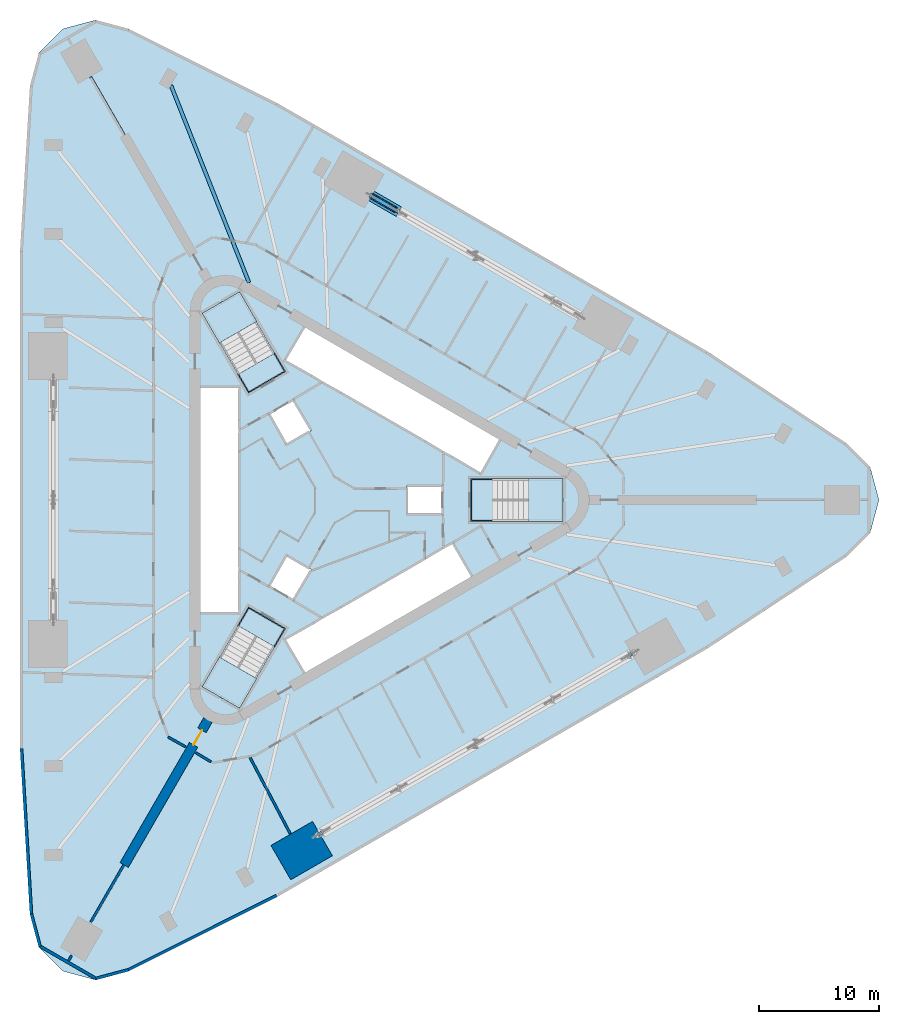
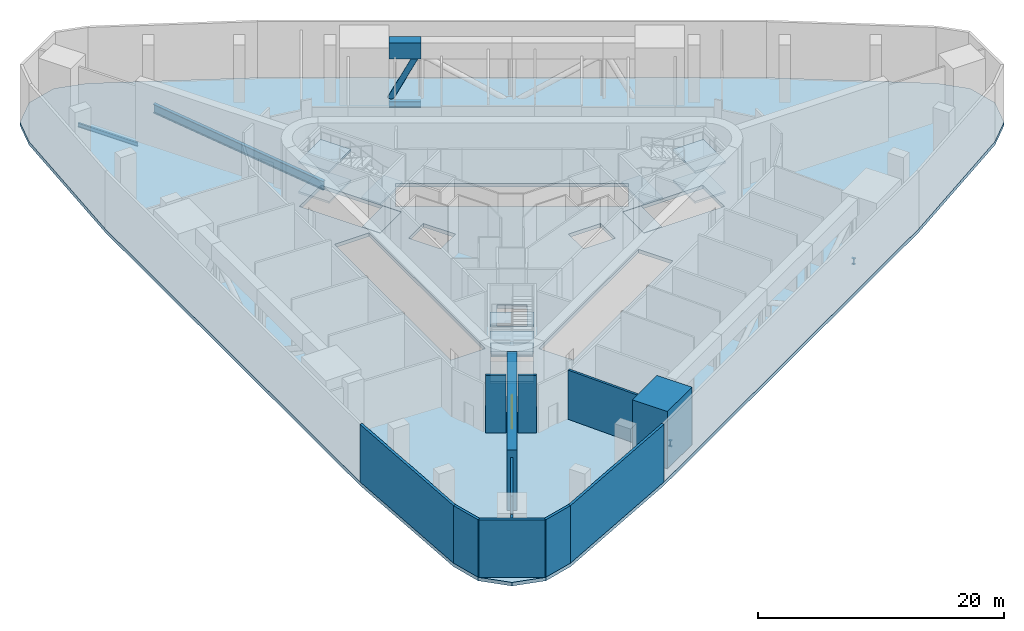
# One storey, part 5 of 14: 13 slabs, 12 walls, 6 beams, 1 door, 1 member, 1 opening, 3 elements without a shape of their own.
"""IFC4 building model written with IfcOpenShell, lengths in metres."""

from ifc_helpers import new_model, si_unit, direction, frame, frame_2d, origin, origin_2d, place, context, subcontext, project, spatial, polyline, rectangle, hollow_circle, i_section, outline, extrude, material, layer, layer_set, material_profile, profile_set, type_object, element, fill, aggregate, save


model = new_model("IFC4")

# Units and contexts
model_context = context("Model", 3, precision=1e-05, world=origin(), true_north=direction((0.0, 1.0)))
body_context = subcontext(model_context, "Body", "Model", "MODEL_VIEW")
ifc_project = project(units=[si_unit("LENGTHUNIT", "METRE"), si_unit("AREAUNIT", "SQUARE_METRE"), si_unit("VOLUMEUNIT", "CUBIC_METRE"), si_unit("PLANEANGLEUNIT", "RADIAN"), si_unit("MASSUNIT", "GRAM", prefix="KILO")], contexts=[model_context])

# Site, building, storey
site_placement = place(None, origin())
site = spatial("IfcSite", under=ifc_project, at=site_placement, CompositionType="ELEMENT")
building_placement = place(site_placement, origin())
building = spatial("IfcBuilding", under=site, at=building_placement, Name="Tanit Gate Tower", CompositionType="ELEMENT")
storey_placement = place(building_placement, frame((0.0, 0.0, 39.5)))
storey = spatial("IfcBuildingStorey", under=building, at=storey_placement, Name="L06", CompositionType="ELEMENT", Elevation=39.5)

# Beams
ifc_material_1 = material(Name="Steel S355", Category="steel")
ifc_material_profile_1 = material_profile(ifc_material_1, i_section(OverallWidth=0.300048828125, OverallDepth=0.889892578125, WebThickness=0.01611328125, FlangeThickness=0.030029296875, FilletRadius=0.030029296875, at=origin_2d()), Name="HEA 900")
ifc_profile_set_1 = profile_set([ifc_material_profile_1], Name="Steel S355")
beam_type_1 = type_object("IfcBeamType", Name="RADIAL GIRDER HEA 900 S355", PredefinedType="BEAM", material=ifc_profile_set_1)
beam_1_placement = place(storey_placement, frame((-13.655029296875, 34.5302734375, -0.794921875), z_axis=(0.36773841244, -0.929929276889, 0.0), x_axis=(0.929929276889, 0.36773841244, 0.0)))
element("IfcBeam", 1, at=beam_1_placement, inside=storey, type_object=beam_type_1, Name="RADIAL GIRDER", PredefinedType="BEAM", context=body_context, shape_type="SweptSolid", body=[
    extrude(i_section(OverallWidth=0.300048828125, OverallDepth=0.889892578125, WebThickness=0.01611328125, FlangeThickness=0.030029296875, FilletRadius=0.030029296875, at=origin_2d()), origin(), (0.0, 0.0, 1.0), 17.658935546875),
])
ifc_material_2 = material(Name="Steel S355", Category="steel")
ifc_material_profile_2 = material_profile(ifc_material_2, i_section(OverallWidth=0.179931640625, OverallDepth=0.39990234375, WebThickness=0.008544921875, FlangeThickness=0.013427734375, FilletRadius=0.02099609375, at=origin_2d()), Name="IPE 400")
ifc_profile_set_2 = profile_set([ifc_material_profile_2], Name="Steel S355")
beam_type_2 = type_object("IfcBeamType", Name="RADIAL GIRDER IPE 400 S355", PredefinedType="BEAM", material=ifc_profile_set_2)
beam_2_placement = place(storey_placement, frame((-20.355712890625, 35.257080078125, -0.550048828125), z_axis=(0.500016430238, -0.866015917575, 0.0), x_axis=(0.866015917575, 0.500016430238, 0.0)))
element("IfcBeam", 2, at=beam_2_placement, inside=storey, type_object=beam_type_2, Name="RADIAL GIRDER", PredefinedType="BEAM", context=body_context, shape_type="SweptSolid", body=[
    extrude(i_section(OverallWidth=0.179931640625, OverallDepth=0.39990234375, WebThickness=0.008544921875, FlangeThickness=0.013427734375, FilletRadius=0.02099609375, at=origin_2d()), origin(), (0.0, 0.0, 1.0), 5.607177734375),
])
ifc_material_3 = material(Name="Concrete C60/75", Category="concrete")
ifc_material_profile_3 = material_profile(ifc_material_3, rectangle(XDim=0.89990234375, YDim=1.60009765625, at=origin_2d()), Name="RC 900x1600")
ifc_profile_set_3 = profile_set([ifc_material_profile_3], Name="Concrete C60/75")
beam_type_3 = type_object("IfcBeamType", Name="TRANSFER GIRDER 900x1600 C60/75", PredefinedType="USERDEFINED", material=ifc_profile_set_3)
beam_3_placement = place(storey_placement, frame((5.325439453125, 24.007080078125, 4.89990234375), z_axis=(-0.866034402474, 0.499984413489, 0.0), x_axis=(-0.499984413489, -0.866034402474, 0.0)))
element("IfcBeam", 3, at=beam_3_placement, inside=storey, type_object=beam_type_3, Name="TRANSFER TRUSS TOP CHORD", ObjectType="GIRDER", PredefinedType="USERDEFINED", context=body_context, shape_type="SweptSolid", body=[
    extrude(rectangle(XDim=0.89990234375, YDim=1.60009765625, at=origin_2d()), origin(), (0.0, 0.0, 1.0), 2.6083984375),
])
ifc_material_4 = material(Name="Steel S460", Category="steel")
ifc_material_profile_4 = material_profile(ifc_material_4, i_section(OverallWidth=0.304931640625, OverallDepth=0.6201171875, WebThickness=0.02099609375, FlangeThickness=0.0400390625, FilletRadius=0.027099609375, at=origin_2d()), Name="HEM 600")
ifc_profile_set_4 = profile_set([ifc_material_profile_4], Name="Steel S460")
beam_type_4 = type_object("IfcBeamType", Name="TRANSFER TRUSS CHORD HEM 600 S460", PredefinedType="BEAM", material=ifc_profile_set_4)
for number, where, z_axis, x_axis, name in (
    (4, (-1.263671875, -27.811279296875, -0.659912109375), (0.865810949009, 0.500371262739, 0.0), (-0.500371262739, 0.865810949009, 0.0), "TRANSFER TRUSS BOTTOM CHORD"),
    (5, (24.529052734375, -12.919677734375, -0.659912109375), (0.866297945504, 0.499527646498, 0.0), (-0.499527646498, 0.866297945504, 0.0), "TRANSFER TRUSS BOTTOM CHORD"),
):
    element("IfcBeam", number, at=place(storey_placement, frame(where, z_axis=z_axis, x_axis=x_axis)), inside=storey, type_object=beam_type_4, Name=name, PredefinedType="BEAM", context=body_context, shape_type="SweptSolid", body=[
        extrude(i_section(OverallWidth=0.304931640625, OverallDepth=0.6201171875, WebThickness=0.02099609375, FlangeThickness=0.0400390625, FilletRadius=0.027099609375, at=origin_2d()), origin(), (0.0, 0.0, 1.0), 0.217041015625),
    ])
beam_4_placement = place(storey_placement, frame((5.325439453125, 24.007080078125, -0.659912109375), z_axis=(-0.866034402474, 0.499984413489, 0.0), x_axis=(-0.499984413489, -0.866034402474, 0.0)))
element("IfcBeam", 6, at=beam_4_placement, inside=storey, type_object=beam_type_4, Name="TRANSFER TRUSS BOTTOM CHORD", PredefinedType="BEAM", context=body_context, shape_type="SweptSolid", body=[
    extrude(i_section(OverallWidth=0.304931640625, OverallDepth=0.6201171875, WebThickness=0.02099609375, FlangeThickness=0.0400390625, FilletRadius=0.027099609375, at=origin_2d()), origin(), (0.0, 0.0, 1.0), 2.6083984375),
])

# Member
ifc_material_5 = material(Name="Steel S460", Category="steel")
ifc_material_profile_5 = material_profile(ifc_material_5, hollow_circle(Radius=0.25390625, WallThickness=0.02490234375, at=origin_2d()), Name="CHS 508x25")
ifc_profile_set_5 = profile_set([ifc_material_profile_5], Name="Steel S460")
member_type = type_object("IfcMemberType", Name="TRANSFER TRUSS DIAGONAL CHS 508x25 S460", PredefinedType="BRACE", material=ifc_profile_set_5)
member_placement = place(storey_placement, frame((4.9970703125, 24.196533203125, 4.10009765625), z_axis=(-0.387887230676, 0.223962202234, -0.894083009708), x_axis=(-0.500025795397, -0.866010510293, 0.0)))
element("IfcMember", 7, at=member_placement, inside=storey, type_object=member_type, Name="TRANSFER TRUSS DIAGONAL", PredefinedType="BRACE", context=body_context, shape_type="SweptSolid", body=[
    extrude(hollow_circle(Radius=0.25390625, WallThickness=0.02490234375, at=origin_2d()), origin(), (0.0, 0.0, 1.0), 4.977294921875),
])

# Stair, slabs
ifc_material_6 = material(Name="Concrete C40/50", Category="concrete")
stair_type = type_object("IfcStairType", Name="INT-STAIR-EXIT", PredefinedType="HALF_TURN_STAIR", material=ifc_material_6)
stair_1_placement = place(storey_placement, origin())
stair_1 = element("IfcStair", 8, at=stair_1_placement, inside=storey, type_object=stair_type, Name="L06 STAIR S1", PredefinedType="HALF_TURN_STAIR")
ifc_material_7 = material(Name="Concrete C40/50", Category="concrete")
ifc_layer_1 = layer(ifc_material_7, 0.199951171875)
ifc_layer_set_1 = layer_set([ifc_layer_1], Name="INT-STAIR-LANDING")
slab_type_1 = type_object("IfcSlabType", Name="INT-STAIR-LANDING", PredefinedType="LANDING", material=ifc_layer_set_1)
slab_1_placement = place(storey_placement, frame((0.0, 0.0, 1.300048828125)))
slab_1 = element("IfcSlab", 9, at=slab_1_placement, type_object=slab_type_1, Name="S1 landing 1", PredefinedType="LANDING", context=body_context, shape_type="SweptSolid", body=[
    extrude(outline(polyline([(16.135986328125, -1.800048828125), (19.0, -1.800048828125), (19.0, 1.800048828125), (16.135986328125, 1.800048828125), (16.135986328125, -1.800048828125)])), origin(), (0.0, 0.0, 1.0), 0.199951171875),
])
slab_2_placement = place(storey_placement, frame((0.0, 0.0, 2.800048828125)))
slab_2 = element("IfcSlab", 10, at=slab_2_placement, type_object=slab_type_1, Name="S1 landing 2", PredefinedType="LANDING", context=body_context, shape_type="SweptSolid", body=[
    extrude(outline(polyline([(11.300048828125, -1.800048828125), (13.10498046875, -1.800048828125), (13.10498046875, 1.800048828125), (11.300048828125, 1.800048828125), (11.300048828125, -1.800048828125)])), origin(), (0.0, 0.0, 1.0), 0.199951171875),
])
slab_3_placement = place(storey_placement, frame((0.0, 0.0, 4.300048828125)))
slab_3 = element("IfcSlab", 11, at=slab_3_placement, type_object=slab_type_1, Name="S1 landing 3", PredefinedType="LANDING", context=body_context, shape_type="SweptSolid", body=[
    extrude(outline(polyline([(16.135986328125, -1.800048828125), (19.0, -1.800048828125), (19.0, 1.800048828125), (16.135986328125, 1.800048828125), (16.135986328125, -1.800048828125)])), origin(), (0.0, 0.0, 1.0), 0.199951171875),
])
aggregate(stair_1, [slab_1, slab_2, slab_3])

# Slab
slab_4_placement = place(storey_placement, frame((0.0, 0.0, -0.199951171875)))
element("IfcSlab", 12, at=slab_4_placement, inside=storey, type_object=slab_type_1, Name="S1 floor landing", PredefinedType="LANDING", context=body_context, shape_type="SweptSolid", body=[
    extrude(outline(polyline([(11.3798828125, -1.719970703125), (13.10498046875, -1.719970703125), (13.10498046875, 1.719970703125), (11.3798828125, 1.719970703125), (11.3798828125, -1.719970703125)])), origin(), (0.0, 0.0, 1.0), 0.199951171875),
])

# Stair, slabs
stair_2_placement = place(storey_placement, origin())
stair_2 = element("IfcStair", 13, at=stair_2_placement, inside=storey, type_object=stair_type, Name="L06 STAIR S2", PredefinedType="HALF_TURN_STAIR")
slab_5_placement = place(storey_placement, frame((0.0, 0.0, 1.300048828125)))
slab_5 = element("IfcSlab", 14, at=slab_5_placement, type_object=slab_type_1, Name="S2 landing 1", PredefinedType="LANDING", context=body_context, shape_type="SweptSolid", body=[
    extrude(outline(polyline([(-6.5078125, 14.871826171875), (-7.941162109375, 17.3544921875), (-11.058837890625, 15.554443359375), (-9.62548828125, 13.07177734375), (-6.5078125, 14.871826171875)])), origin(), (0.0, 0.0, 1.0), 0.199951171875),
])
slab_6_placement = place(storey_placement, frame((0.0, 0.0, 2.800048828125)))
slab_6 = element("IfcSlab", 15, at=slab_6_placement, type_object=slab_type_1, Name="S2 landing 2", PredefinedType="LANDING", context=body_context, shape_type="SweptSolid", body=[
    extrude(outline(polyline([(-4.091064453125, 10.68603515625), (-4.9931640625, 12.248291015625), (-8.11083984375, 10.448486328125), (-7.208740234375, 8.885986328125), (-4.091064453125, 10.68603515625)])), origin(), (0.0, 0.0, 1.0), 0.199951171875),
])
slab_7_placement = place(storey_placement, frame((0.0, 0.0, 4.300048828125)))
slab_7 = element("IfcSlab", 16, at=slab_7_placement, type_object=slab_type_1, Name="S2 landing 3", PredefinedType="LANDING", context=body_context, shape_type="SweptSolid", body=[
    extrude(outline(polyline([(-6.5078125, 14.871826171875), (-7.941162109375, 17.3544921875), (-11.058837890625, 15.554443359375), (-9.62548828125, 13.07177734375), (-6.5078125, 14.871826171875)])), origin(), (0.0, 0.0, 1.0), 0.199951171875),
])
aggregate(stair_2, [slab_5, slab_6, slab_7])

# Slab
slab_8_placement = place(storey_placement, frame((0.0, 0.0, -0.199951171875)))
element("IfcSlab", 17, at=slab_8_placement, inside=storey, type_object=slab_type_1, Name="S2 floor landing", PredefinedType="LANDING", context=body_context, shape_type="SweptSolid", body=[
    extrude(outline(polyline([(-4.200439453125, 10.71533203125), (-5.0625, 12.20849609375), (-8.04150390625, 10.48828125), (-7.179443359375, 8.995361328125), (-4.200439453125, 10.71533203125)])), origin(), (0.0, 0.0, 1.0), 0.199951171875),
])

# Stair, slabs
stair_3_placement = place(storey_placement, origin())
stair_3 = element("IfcStair", 18, at=stair_3_placement, inside=storey, type_object=stair_type, Name="L06 STAIR S3", PredefinedType="HALF_TURN_STAIR")
slab_9_placement = place(storey_placement, frame((0.0, 0.0, 1.300048828125)))
slab_9 = element("IfcSlab", 19, at=slab_9_placement, type_object=slab_type_1, Name="S3 landing 1", PredefinedType="LANDING", context=body_context, shape_type="SweptSolid", body=[
    extrude(outline(polyline([(-9.626953125, -13.07421875), (-11.058837890625, -15.554443359375), (-7.941162109375, -17.3544921875), (-6.509033203125, -14.874267578125), (-9.626953125, -13.07421875)])), origin(), (0.0, 0.0, 1.0), 0.199951171875),
])
slab_10_placement = place(storey_placement, frame((0.0, 0.0, 2.800048828125)))
slab_10 = element("IfcSlab", 20, at=slab_10_placement, type_object=slab_type_1, Name="S3 landing 2", PredefinedType="LANDING", context=body_context, shape_type="SweptSolid", body=[
    extrude(outline(polyline([(-7.208740234375, -8.885986328125), (-8.111328125, -10.44921875), (-4.99365234375, -12.249267578125), (-4.091064453125, -10.68603515625), (-7.208740234375, -8.885986328125)])), origin(), (0.0, 0.0, 1.0), 0.199951171875),
])
slab_11_placement = place(storey_placement, frame((0.0, 0.0, 4.300048828125)))
slab_11 = element("IfcSlab", 21, at=slab_11_placement, type_object=slab_type_1, Name="S3 landing 3", PredefinedType="LANDING", context=body_context, shape_type="SweptSolid", body=[
    extrude(outline(polyline([(-9.626953125, -13.07421875), (-11.058837890625, -15.554443359375), (-7.941162109375, -17.3544921875), (-6.509033203125, -14.874267578125), (-9.626953125, -13.07421875)])), origin(), (0.0, 0.0, 1.0), 0.199951171875),
])
aggregate(stair_3, [slab_9, slab_10, slab_11])

# Slabs
slab_12_placement = place(storey_placement, frame((0.0, 0.0, -0.199951171875)))
element("IfcSlab", 22, at=slab_12_placement, inside=storey, type_object=slab_type_1, Name="S3 floor landing", PredefinedType="LANDING", context=body_context, shape_type="SweptSolid", body=[
    extrude(outline(polyline([(-7.179443359375, -8.995361328125), (-8.0419921875, -10.4892578125), (-5.06298828125, -12.209228515625), (-4.200439453125, -10.71533203125), (-7.179443359375, -8.995361328125)])), origin(), (0.0, 0.0, 1.0), 0.199951171875),
])
ifc_material_8 = material(Name="Concrete C35/45", Category="concrete")
ifc_layer_2 = layer(ifc_material_8, 0.35009765625)
ifc_layer_set_2 = layer_set([ifc_layer_2], Name="TRANSFER FLOOR SLAB 350 C35/45")
slab_type_2 = type_object("IfcSlabType", Name="TRANSFER FLOOR SLAB 350 C35/45", PredefinedType="FLOOR", material=ifc_layer_set_2)
slab_13_placement = place(storey_placement, frame((0.0, 0.0, -0.35009765625)))
element("IfcSlab", 23, at=slab_13_placement, inside=storey, type_object=slab_type_2, Name="FLOOR SLAB L06", PredefinedType="FLOOR", context=body_context, shape_type="SweptSolid", body=[
    extrude(outline(polyline([(44.574951171875, 2.747802734375), (45.311279296875, 0.0), (44.574951171875, -2.747802734375), (42.5634765625, -4.75927734375), (31.030517578125, -12.368896484375), (-4.80224609375, -33.06005859375), (-17.16015625, -39.24072265625), (-19.907958984375, -39.97705078125), (-22.655517578125, -39.24072265625), (-24.6669921875, -37.229248046875), (-25.4033203125, -34.4814453125), (-26.22705078125, -20.68896484375), (-26.229736328125, 20.68896484375), (-25.4033203125, 34.4814453125), (-24.6669921875, 37.229248046875), (-22.655517578125, 39.24072265625), (-19.907958984375, 39.97705078125), (-17.16015625, 39.24072265625), (-4.8037109375, 33.0576171875), (31.031982421875, 12.371337890625), (42.5634765625, 4.75927734375), (44.574951171875, 2.747802734375)]), holes=[polyline([(11.3701171875, 1.72998046875), (18.929931640625, 1.72998046875), (18.929931640625, -1.72998046875), (11.3701171875, -1.72998046875), (11.3701171875, 1.72998046875)]), polyline([(-4.208984375, 11.60986328125), (-2.583984375, 14.424560546875), (13.783935546875, 4.974609375), (12.158935546875, 2.159912109375), (-4.208984375, 11.60986328125)]), polyline([(-4.208984375, -11.60986328125), (9.82080078125, -3.510009765625), (11.44580078125, -6.324462890625), (-2.583984375, -14.424560546875), (-4.208984375, -11.60986328125)]), polyline([(9.0, 1.199951171875), (9.0, -1.199951171875), (6.0, -1.199951171875), (6.0, 1.199951171875), (9.0, 1.199951171875)]), polyline([(-5.539306640625, 7.194091796875), (-3.460693359375, 8.394287109375), (-1.960693359375, 5.796142578125), (-4.039306640625, 4.59619140625), (-5.539306640625, 7.194091796875)]), polyline([(-1.960693359375, -5.796142578125), (-3.460693359375, -8.394287109375), (-5.539306640625, -7.194091796875), (-4.039306640625, -4.59619140625), (-1.960693359375, -5.796142578125)]), polyline([(-10.963134765625, 15.52880859375), (-7.966796875, 17.2587890625), (-4.186767578125, 10.711669921875), (-7.18310546875, 8.981689453125), (-10.963134765625, 15.52880859375)]), polyline([(-4.186767578125, -10.711669921875), (-7.966796875, -17.2587890625), (-10.963134765625, -15.52880859375), (-7.18310546875, -8.981689453125), (-4.186767578125, -10.711669921875)]), polyline([(-11.199951171875, -9.449951171875), (-11.199951171875, 9.449951171875), (-7.949951171875, 9.449951171875), (-7.949951171875, -9.449951171875), (-11.199951171875, -9.449951171875)])]), origin(), (0.0, 0.0, 1.0), 0.35009765625),
])

# Wall, opening, door
ifc_material_9 = material(Name="Concrete C60/75", Category="concrete")
ifc_layer_3 = layer(ifc_material_9, 0.800048828125)
ifc_layer_set_3 = layer_set([ifc_layer_3], Name="BUTTRESS FIN 800 C60/75")
wall_type_1 = type_object("IfcWallType", Name="BUTTRESS FIN 800 C60/75", PredefinedType="SHEAR", material=ifc_layer_set_3)
wall_1_placement = place(storey_placement, frame((-10.574951171875, -18.31640625, 0.0), z_axis=(0.0, 0.0, 1.0), x_axis=(-0.499996575515, -0.866027380903, 0.0)))
wall_1 = element("IfcWall", 24, at=wall_1_placement, inside=storey, type_object=wall_type_1, Name="BUTTRESS FIN", PredefinedType="SHEAR", context=body_context, shape_type="SweptSolid", body=[
    extrude(rectangle(XDim=13.9541015625, YDim=0.800048828125, at=frame_2d((6.97705078125, 0.0))), origin(), (0.0, 0.0, 1.0), 6.0),
])
opening_placement = place(wall_1_placement, frame((1.0, 0.0, 0.0)))
opening = element("IfcOpeningElement", 25, at=opening_placement, cuts=wall_1, Name="Opening P14-06-F-SW-1", PredefinedType="OPENING", context=body_context, shape_type="SweptSolid", body=[
    extrude(rectangle(XDim=1.39990234375, YDim=2.39990234375, at=frame_2d((0.699951171875, 1.199951171875))), frame((0.0, 0.41015625, 0.0), z_axis=(0.0, -1.0, 0.0), x_axis=(1.0, 0.0, 0.0)), (0.0, 0.0, 1.0), 0.820068359375),
])
ifc_material_10 = material(Name="Timber door leaf", Category="wood")
door_type = type_object("IfcDoorType", Name="INT-DOOR-FIN-PAIR-1400", OperationType="NOTDEFINED", PredefinedType="NOTDEFINED", material=ifc_material_10)
door_placement = place(opening_placement, origin())
door = element("IfcDoor", 26, at=door_placement, inside=storey, type_object=door_type, Name="Door P14-06-F-SW-1", OperationType="DOUBLE_DOOR_SINGLE_SWING", OverallHeight=2.39990234375, OverallWidth=1.39990234375, PredefinedType="NOTDEFINED", context=body_context, shape_type="SweptSolid", body=[
    extrude(rectangle(XDim=1.39990234375, YDim=2.39990234375, at=frame_2d((0.699951171875, 1.199951171875))), frame((0.0, 0.02490234375, 0.0), z_axis=(0.0, -1.0, 0.0), x_axis=(1.0, 0.0, 0.0)), (0.0, 0.0, 1.0), 0.050048828125),
])
fill(opening, door)

# Walls
ifc_material_11 = material(Name="Concrete C30/37 with bronze anodised aluminium cladding", Category="concrete")
ifc_layer_4 = layer(ifc_material_11, 0.239990234375)
ifc_layer_set_4 = layer_set([ifc_layer_4], Name="Facade wall bronze clad 240")
wall_type_2 = type_object("IfcWallType", Name="Facade wall bronze clad 240", PredefinedType="SOLIDWALL", material=ifc_layer_set_4)
wall_2_placement = place(storey_placement, frame((-26.10693359375, -20.685302734375, 0.0), z_axis=(0.0, 0.0, 1.0), x_axis=(0.059596169304, -0.998222568671, 0.0)))
element("IfcWall", 27, at=wall_2_placement, inside=storey, type_object=wall_type_2, Name="Bronze-clad facade wall L06 W3", PredefinedType="SOLIDWALL", context=body_context, shape_type="SweptSolid", body=[
    extrude(rectangle(XDim=13.80126953125, YDim=0.239990234375, at=frame_2d((6.900634765625, 0.0))), origin(), (0.0, 0.0, 1.0), 5.699951171875),
])
wall_3_placement = place(storey_placement, frame((-25.284423828125, -34.462158203125, 0.0), z_axis=(0.0, 0.0, 1.0), x_axis=(0.258850842196, -0.965917305723, 0.0)))
element("IfcWall", 28, at=wall_3_placement, inside=storey, type_object=wall_type_2, Name="Bronze-clad facade wall L06 SW.arc1", PredefinedType="SOLIDWALL", context=body_context, shape_type="SweptSolid", body=[
    extrude(rectangle(XDim=2.80029296875, YDim=0.239990234375, at=frame_2d((1.400146484375, 0.0))), origin(), (0.0, 0.0, 1.0), 5.699951171875),
])
wall_4_placement = place(storey_placement, frame((-24.5595703125, -37.1669921875, 0.0), z_axis=(0.0, 0.0, 1.0), x_axis=(0.866010734295, -0.500025407441, 0.0)))
element("IfcWall", 29, at=wall_4_placement, inside=storey, type_object=wall_type_2, Name="Bronze-clad facade wall L06 SW.arc2", PredefinedType="SOLIDWALL", context=body_context, shape_type="SweptSolid", body=[
    extrude(rectangle(XDim=5.371337890625, YDim=0.239990234375, at=frame_2d((2.685546875, 0.0))), origin(), (0.0, 0.0, 1.0), 5.699951171875),
])
wall_5_placement = place(storey_placement, frame((-19.907958984375, -39.852783203125, 0.0), z_axis=(0.0, 0.0, 1.0), x_axis=(0.965923146675, 0.25882904535, 0.0)))
element("IfcWall", 30, at=wall_5_placement, inside=storey, type_object=wall_type_2, Name="Bronze-clad facade wall L06 SW.arc3", PredefinedType="SOLIDWALL", context=body_context, shape_type="SweptSolid", body=[
    extrude(rectangle(XDim=2.800537109375, YDim=0.239990234375, at=frame_2d((1.400390625, 0.0))), origin(), (0.0, 0.0, 1.0), 5.699951171875),
])
wall_6_placement = place(storey_placement, frame((-17.202880859375, -39.1279296875, 0.0), z_axis=(0.0, 0.0, 1.0), x_axis=(0.894377655106, 0.447312653573, 0.0)))
element("IfcWall", 31, at=wall_6_placement, inside=storey, type_object=wall_type_2, Name="Bronze-clad facade wall L06 SE1", PredefinedType="SOLIDWALL", context=body_context, shape_type="SweptSolid", body=[
    extrude(rectangle(XDim=13.801513671875, YDim=0.239990234375, at=frame_2d((6.90087890625, 0.0))), origin(), (0.0, 0.0, 1.0), 5.699951171875),
])
ifc_material_12 = material(Name="Fire-rated gypsum board partition")
ifc_layer_5 = layer(ifc_material_12, 0.199951171875)
ifc_layer_set_5 = layer_set([ifc_layer_5], Name="INT-WALL-COMPARTMENT")
wall_type_3 = type_object("IfcWallType", Name="INT-WALL-COMPARTMENT", PredefinedType="PARTITIONING", material=ifc_layer_set_5)
wall_7_placement = place(storey_placement, frame((-13.8984375, -19.74267578125, 0.0), z_axis=(0.0, 0.0, 1.0), x_axis=(0.873055469417, -0.487620905337, 0.0)))
element("IfcWall", 32, at=wall_7_placement, inside=storey, type_object=wall_type_3, Name="Wall Compartment W096", PredefinedType="PARTITIONING", context=body_context, shape_type="SweptSolid", body=[
    extrude(rectangle(XDim=1.665283203125, YDim=0.199951171875, at=frame_2d((0.83251953125, 0.0))), origin(), (0.0, 0.0, 1.0), 5.699951171875),
])
wall_8_placement = place(storey_placement, frame((-22.19970703125, -38.39111328125, 0.0), z_axis=(0.0, 0.0, 1.0), x_axis=(0.499761856089, 0.866162852585, 0.0)))
element("IfcWall", 33, at=wall_8_placement, inside=storey, type_object=wall_type_3, Name="Wall Compartment W107x1", PredefinedType="PARTITIONING", context=body_context, shape_type="SweptSolid", body=[
    extrude(rectangle(XDim=0.536376953125, YDim=0.199951171875, at=frame_2d((0.26806640625, 0.0))), origin(), (0.0, 0.0, 1.0), 5.699951171875),
])
wall_9_placement = place(storey_placement, frame((-20.33154296875, -35.1552734375, 0.0), z_axis=(0.0, 0.0, 1.0), x_axis=(0.499982128061, 0.866035721907, 0.0)))
element("IfcWall", 34, at=wall_9_placement, inside=storey, type_object=wall_type_3, Name="Wall Compartment W108", PredefinedType="PARTITIONING", context=body_context, shape_type="SweptSolid", body=[
    extrude(rectangle(XDim=5.507080078125, YDim=0.199951171875, at=frame_2d((2.75341796875, 0.0))), origin(), (0.0, 0.0, 1.0), 5.27001953125),
])
wall_10_placement = place(storey_placement, frame((-11.57861328125, -21.0546875, 0.0), z_axis=(0.0, 0.0, 1.0), x_axis=(0.85883355706, -0.512254742552, 0.0)))
element("IfcWall", 35, at=wall_10_placement, inside=storey, type_object=wall_type_3, Name="Wall Compartment W137", PredefinedType="PARTITIONING", context=body_context, shape_type="SweptSolid", body=[
    extrude(rectangle(XDim=1.47509765625, YDim=0.199951171875, at=frame_2d((0.737548828125, 0.0))), origin(), (0.0, 0.0, 1.0), 5.699951171875),
])
wall_11_placement = place(storey_placement, frame((-3.7255859375, -27.789306640625, 0.0), z_axis=(0.0, 0.0, 1.0), x_axis=(-0.466234398463, 0.88466122651, 0.0)))
element("IfcWall", 36, at=wall_11_placement, inside=storey, type_object=wall_type_3, Name="Wall Compartment W149", PredefinedType="PARTITIONING", context=body_context, shape_type="SweptSolid", body=[
    extrude(rectangle(XDim=7.175048828125, YDim=0.199951171875, at=frame_2d((3.58740234375, 0.0))), origin(), (0.0, 0.0, 1.0), 4.8798828125),
])
ifc_material_13 = material(Name="Concrete C60/75", Category="concrete")
ifc_layer_6 = layer(ifc_material_13, 4.0)
ifc_layer_set_6 = layer_set([ifc_layer_6], Name="PIER WALL 4000 C60/75")
wall_type_4 = type_object("IfcWallType", Name="PIER WALL 4000 C60/75", PredefinedType="SHEAR", material=ifc_layer_set_6)
wall_12_placement = place(storey_placement, origin())
element("IfcWall", 37, at=wall_12_placement, inside=storey, type_object=wall_type_4, Name="PIER WALL", PredefinedType="SHEAR", context=body_context, shape_type="SweptSolid", body=[
    extrude(outline(polyline([(-3.677734375, -31.6298828125), (-0.213623046875, -29.6298828125), (-1.86376953125, -26.77197265625), (-5.327880859375, -28.77197265625), (-3.677734375, -31.6298828125)])), origin(), (0.0, 0.0, 1.0), 5.699951171875),
])

save(model, "model.ifc")
